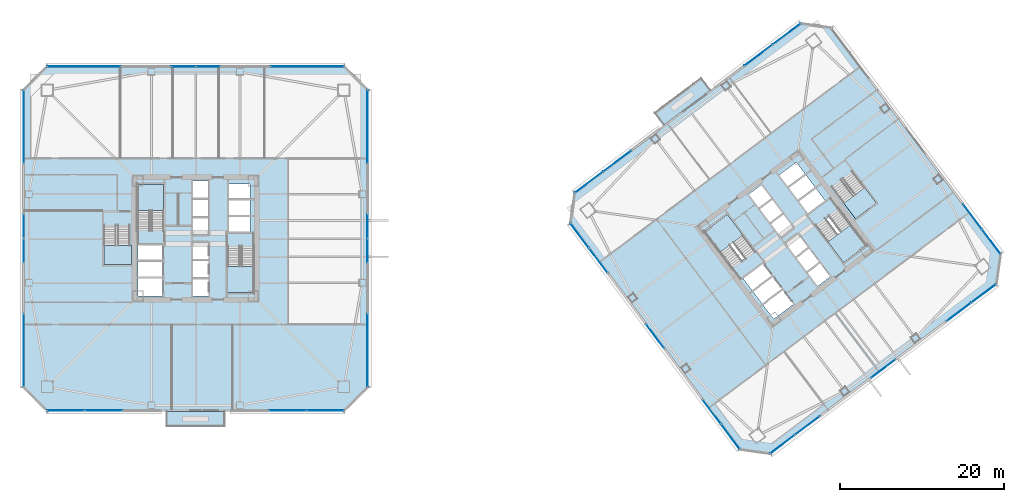
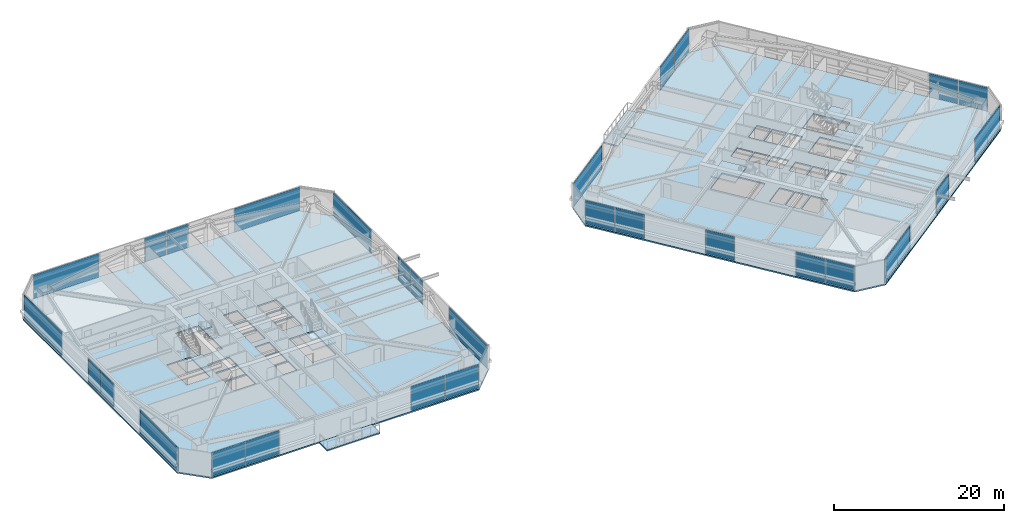
# One storey, part 31 of 44: 32 plates, 10 slabs, 26 elements without a shape of their own.
"""IFC4 building model written with IfcOpenShell, lengths in metres."""

from ifc_helpers import new_model, si_unit, direction, frame, origin, origin_2d, place, context, subcontext, project, spatial, polyline, rectangle, outline, extrude, material, layer, layer_set, type_object, element, aggregate, save


model = new_model("IFC4")

# Units and contexts
model_context = context("Model", 3, precision=1e-05, world=origin(), true_north=direction((0.0, 1.0)))
body_context = subcontext(model_context, "Body", "Model", "MODEL_VIEW")
ifc_project = project(units=[si_unit("LENGTHUNIT", "METRE"), si_unit("AREAUNIT", "SQUARE_METRE"), si_unit("VOLUMEUNIT", "CUBIC_METRE"), si_unit("PLANEANGLEUNIT", "RADIAN"), si_unit("MASSUNIT", "GRAM", prefix="KILO")], contexts=[model_context])

# Site, building, storey
site_placement = place(None, origin())
site = spatial("IfcSite", under=ifc_project, at=site_placement, CompositionType="ELEMENT")
building_placement = place(site_placement, origin())
building = spatial("IfcBuilding", under=site, at=building_placement, Name="Tashvorn Skyway Center", CompositionType="ELEMENT")
storey_placement = place(building_placement, frame((0.0, 0.0, 95.60009765625)))
storey = spatial("IfcBuildingStorey", under=building, at=storey_placement, Name="L25", CompositionType="ELEMENT", Elevation=95.60009765625)

# Curtain wall, plates
ifc_material_1 = material(Name="Thermally broken bronze-anodized aluminium 6063-T6", Category="aluminium")
curtain_wall_type = type_object("IfcCurtainWallType", Name="CW-CW-Z2", PredefinedType="NOTDEFINED", material=ifc_material_1)
curtain_wall_1_placement = place(storey_placement, origin())
curtain_wall_1 = element("IfcCurtainWall", 1, at=curtain_wall_1_placement, inside=storey, type_object=curtain_wall_type, Name="Tower 1 L25 South Curtain Wall L Glazing Group 1", PredefinedType="NOTDEFINED")
ifc_material_2 = material(Name="Low-E solar-control double insulating safety glass", Category="glass")
ifc_layer_1 = layer(ifc_material_2, 0.0439453125)
ifc_layer_set_1 = layer_set([ifc_layer_1], Name="Low-E solar-control double insulating safety glass")
plate_type = type_object("IfcPlateType", Name="CWP-CW-Z2", PredefinedType="CURTAIN_PANEL", material=ifc_layer_set_1)
plate_1_placement = place(storey_placement, frame((57.83837890625, 11.02001953125, 0.080078125), z_axis=(0.0, 0.0, 1.0), x_axis=(-1.0, 0.0, 0.0)))
plate_1 = element("IfcPlate", 2, at=plate_1_placement, type_object=plate_type, Name="CW-Z2 panel 1.1", PredefinedType="CURTAIN_PANEL", context=body_context, shape_type="SweptSolid", body=[
    extrude(rectangle(XDim=4.5234375, YDim=0.0439453125, at=origin_2d()), origin(), (0.0, 0.0, 1.0), 3.389892578125),
])
plate_2_placement = place(storey_placement, frame((53.23486328125, 11.02001953125, 0.080078125), z_axis=(0.0, 0.0, 1.0), x_axis=(-1.0, 0.0, 0.0)))
plate_2 = element("IfcPlate", 3, at=plate_2_placement, type_object=plate_type, Name="CW-Z2 panel 2.1", PredefinedType="CURTAIN_PANEL", context=body_context, shape_type="SweptSolid", body=[
    extrude(rectangle(XDim=4.5234375, YDim=0.0439453125, at=origin_2d()), origin(), (0.0, 0.0, 1.0), 3.389892578125),
])
aggregate(curtain_wall_1, [plate_1, plate_2])

curtain_wall_2_placement = place(storey_placement, origin())
curtain_wall_2 = element("IfcCurtainWall", 4, at=curtain_wall_2_placement, inside=storey, type_object=curtain_wall_type, Name="Tower 1 L25 South Curtain Wall R Glazing Group 1", PredefinedType="NOTDEFINED")
plate_3_placement = place(storey_placement, frame((30.76513671875, 11.02001953125, 0.080078125), z_axis=(0.0, 0.0, 1.0), x_axis=(-1.0, 0.0, 0.0)))
plate_3 = element("IfcPlate", 5, at=plate_3_placement, type_object=plate_type, Name="CW-Z2 panel 1.1", PredefinedType="CURTAIN_PANEL", context=body_context, shape_type="SweptSolid", body=[
    extrude(rectangle(XDim=4.5234375, YDim=0.0439453125, at=origin_2d()), origin(), (0.0, 0.0, 1.0), 3.389892578125),
])
plate_4_placement = place(storey_placement, frame((26.16162109375, 11.02001953125, 0.080078125), z_axis=(0.0, 0.0, 1.0), x_axis=(-1.0, 0.0, 0.0)))
plate_4 = element("IfcPlate", 6, at=plate_4_placement, type_object=plate_type, Name="CW-Z2 panel 2.1", PredefinedType="CURTAIN_PANEL", context=body_context, shape_type="SweptSolid", body=[
    extrude(rectangle(XDim=4.5234375, YDim=0.0439453125, at=origin_2d()), origin(), (0.0, 0.0, 1.0), 3.389892578125),
])
aggregate(curtain_wall_2, [plate_3, plate_4])

# Curtain wall, plate
curtain_wall_3_placement = place(storey_placement, origin())
curtain_wall_3 = element("IfcCurtainWall", 7, at=curtain_wall_3_placement, inside=storey, type_object=curtain_wall_type, Name="Tower 1 L25 West Unitised Curtain Wall Glazing Group 1", PredefinedType="NOTDEFINED")
plate_5_placement = place(storey_placement, frame((21.02001953125, 18.364990234375, 0.080078125), z_axis=(0.0, 0.0, 1.0), x_axis=(0.0, 1.0, 0.0)))
plate_5 = element("IfcPlate", 8, at=plate_5_placement, type_object=plate_type, Name="CW-Z2 panel 1.1", PredefinedType="CURTAIN_PANEL", context=body_context, shape_type="SweptSolid", body=[
    extrude(rectangle(XDim=8.929931640625, YDim=0.0439453125, at=origin_2d()), origin(), (0.0, 0.0, 1.0), 3.389892578125),
])
aggregate(curtain_wall_3, [plate_5])

# Curtain wall, plates
curtain_wall_4_placement = place(storey_placement, origin())
curtain_wall_4 = element("IfcCurtainWall", 9, at=curtain_wall_4_placement, inside=storey, type_object=curtain_wall_type, Name="Tower 1 L25 West Unitised Curtain Wall Glazing Group 2", PredefinedType="NOTDEFINED")
plate_6_placement = place(storey_placement, frame((21.02001953125, 30.5048828125, 0.080078125), z_axis=(0.0, 0.0, 1.0), x_axis=(0.0, 1.0, 0.0)))
plate_6 = element("IfcPlate", 10, at=plate_6_placement, type_object=plate_type, Name="CW-Z2 panel 1.1", PredefinedType="CURTAIN_PANEL", context=body_context, shape_type="SweptSolid", body=[
    extrude(rectangle(XDim=2.909912109375, YDim=0.0439453125, at=origin_2d()), origin(), (0.0, 0.0, 1.0), 3.389892578125),
])
plate_7_placement = place(storey_placement, frame((21.02001953125, 33.4951171875, 0.080078125), z_axis=(0.0, 0.0, 1.0), x_axis=(0.0, 1.0, 0.0)))
plate_7 = element("IfcPlate", 11, at=plate_7_placement, type_object=plate_type, Name="CW-Z2 panel 2.1", PredefinedType="CURTAIN_PANEL", context=body_context, shape_type="SweptSolid", body=[
    extrude(rectangle(XDim=2.909912109375, YDim=0.0439453125, at=origin_2d()), origin(), (0.0, 0.0, 1.0), 3.389892578125),
])
aggregate(curtain_wall_4, [plate_6, plate_7])

# Curtain wall, plate
curtain_wall_5_placement = place(storey_placement, origin())
curtain_wall_5 = element("IfcCurtainWall", 12, at=curtain_wall_5_placement, inside=storey, type_object=curtain_wall_type, Name="Tower 1 L25 West Unitised Curtain Wall Glazing Group 3", PredefinedType="NOTDEFINED")
plate_8_placement = place(storey_placement, frame((21.02001953125, 45.635009765625, 0.080078125), z_axis=(0.0, 0.0, 1.0), x_axis=(0.0, 1.0, 0.0)))
plate_8 = element("IfcPlate", 13, at=plate_8_placement, type_object=plate_type, Name="CW-Z2 panel 1.1", PredefinedType="CURTAIN_PANEL", context=body_context, shape_type="SweptSolid", body=[
    extrude(rectangle(XDim=8.929931640625, YDim=0.0439453125, at=origin_2d()), origin(), (0.0, 0.0, 1.0), 3.389892578125),
])
aggregate(curtain_wall_5, [plate_8])

curtain_wall_6_placement = place(storey_placement, origin())
curtain_wall_6 = element("IfcCurtainWall", 14, at=curtain_wall_6_placement, inside=storey, type_object=curtain_wall_type, Name="Tower 1 L25 North Unitised Curtain Wall Glazing Group 1", PredefinedType="NOTDEFINED")
plate_9_placement = place(storey_placement, frame((28.364990234375, 52.97998046875, 0.080078125), z_axis=(0.0, 0.0, 1.0), x_axis=(1.0, 0.0, 0.0)))
plate_9 = element("IfcPlate", 15, at=plate_9_placement, type_object=plate_type, Name="CW-Z2 panel 1.1", PredefinedType="CURTAIN_PANEL", context=body_context, shape_type="SweptSolid", body=[
    extrude(rectangle(XDim=8.929931640625, YDim=0.0439453125, at=origin_2d()), origin(), (0.0, 0.0, 1.0), 3.389892578125),
])
aggregate(curtain_wall_6, [plate_9])

# Curtain wall, plates
curtain_wall_7_placement = place(storey_placement, origin())
curtain_wall_7 = element("IfcCurtainWall", 16, at=curtain_wall_7_placement, inside=storey, type_object=curtain_wall_type, Name="Tower 1 L25 North Unitised Curtain Wall Glazing Group 2", PredefinedType="NOTDEFINED")
plate_10_placement = place(storey_placement, frame((40.5048828125, 52.97998046875, 0.080078125), z_axis=(0.0, 0.0, 1.0), x_axis=(1.0, 0.0, 0.0)))
plate_10 = element("IfcPlate", 17, at=plate_10_placement, type_object=plate_type, Name="CW-Z2 panel 1.1", PredefinedType="CURTAIN_PANEL", context=body_context, shape_type="SweptSolid", body=[
    extrude(rectangle(XDim=2.909912109375, YDim=0.0439453125, at=origin_2d()), origin(), (0.0, 0.0, 1.0), 3.389892578125),
])
plate_11_placement = place(storey_placement, frame((43.4951171875, 52.97998046875, 0.080078125), z_axis=(0.0, 0.0, 1.0), x_axis=(1.0, 0.0, 0.0)))
plate_11 = element("IfcPlate", 18, at=plate_11_placement, type_object=plate_type, Name="CW-Z2 panel 2.1", PredefinedType="CURTAIN_PANEL", context=body_context, shape_type="SweptSolid", body=[
    extrude(rectangle(XDim=2.909912109375, YDim=0.0439453125, at=origin_2d()), origin(), (0.0, 0.0, 1.0), 3.389892578125),
])
aggregate(curtain_wall_7, [plate_10, plate_11])

# Curtain wall, plate
curtain_wall_8_placement = place(storey_placement, origin())
curtain_wall_8 = element("IfcCurtainWall", 19, at=curtain_wall_8_placement, inside=storey, type_object=curtain_wall_type, Name="Tower 1 L25 North Unitised Curtain Wall Glazing Group 3", PredefinedType="NOTDEFINED")
plate_12_placement = place(storey_placement, frame((55.635009765625, 52.97998046875, 0.080078125), z_axis=(0.0, 0.0, 1.0), x_axis=(1.0, 0.0, 0.0)))
plate_12 = element("IfcPlate", 20, at=plate_12_placement, type_object=plate_type, Name="CW-Z2 panel 1.1", PredefinedType="CURTAIN_PANEL", context=body_context, shape_type="SweptSolid", body=[
    extrude(rectangle(XDim=8.929931640625, YDim=0.0439453125, at=origin_2d()), origin(), (0.0, 0.0, 1.0), 3.389892578125),
])
aggregate(curtain_wall_8, [plate_12])

curtain_wall_9_placement = place(storey_placement, origin())
curtain_wall_9 = element("IfcCurtainWall", 21, at=curtain_wall_9_placement, inside=storey, type_object=curtain_wall_type, Name="Tower 1 L25 East Unitised Curtain Wall Glazing Group 1", PredefinedType="NOTDEFINED")
plate_13_placement = place(storey_placement, frame((62.97998046875, 45.635009765625, 0.080078125), z_axis=(0.0, 0.0, 1.0), x_axis=(0.0, -1.0, 0.0)))
plate_13 = element("IfcPlate", 22, at=plate_13_placement, type_object=plate_type, Name="CW-Z2 panel 1.1", PredefinedType="CURTAIN_PANEL", context=body_context, shape_type="SweptSolid", body=[
    extrude(rectangle(XDim=8.929931640625, YDim=0.0439453125, at=origin_2d()), origin(), (0.0, 0.0, 1.0), 3.389892578125),
])
aggregate(curtain_wall_9, [plate_13])

# Curtain wall, plates
curtain_wall_10_placement = place(storey_placement, origin())
curtain_wall_10 = element("IfcCurtainWall", 23, at=curtain_wall_10_placement, inside=storey, type_object=curtain_wall_type, Name="Tower 1 L25 East Unitised Curtain Wall Glazing Group 2", PredefinedType="NOTDEFINED")
plate_14_placement = place(storey_placement, frame((62.97998046875, 33.4951171875, 0.080078125), z_axis=(0.0, 0.0, 1.0), x_axis=(0.0, -1.0, 0.0)))
plate_14 = element("IfcPlate", 24, at=plate_14_placement, type_object=plate_type, Name="CW-Z2 panel 1.1", PredefinedType="CURTAIN_PANEL", context=body_context, shape_type="SweptSolid", body=[
    extrude(rectangle(XDim=2.909912109375, YDim=0.0439453125, at=origin_2d()), origin(), (0.0, 0.0, 1.0), 3.389892578125),
])
plate_15_placement = place(storey_placement, frame((62.97998046875, 30.5048828125, 0.080078125), z_axis=(0.0, 0.0, 1.0), x_axis=(0.0, -1.0, 0.0)))
plate_15 = element("IfcPlate", 25, at=plate_15_placement, type_object=plate_type, Name="CW-Z2 panel 2.1", PredefinedType="CURTAIN_PANEL", context=body_context, shape_type="SweptSolid", body=[
    extrude(rectangle(XDim=2.909912109375, YDim=0.0439453125, at=origin_2d()), origin(), (0.0, 0.0, 1.0), 3.389892578125),
])
aggregate(curtain_wall_10, [plate_14, plate_15])

# Curtain wall, plate
curtain_wall_11_placement = place(storey_placement, origin())
curtain_wall_11 = element("IfcCurtainWall", 26, at=curtain_wall_11_placement, inside=storey, type_object=curtain_wall_type, Name="Tower 1 L25 East Unitised Curtain Wall Glazing Group 3", PredefinedType="NOTDEFINED")
plate_16_placement = place(storey_placement, frame((62.97998046875, 18.364990234375, 0.080078125), z_axis=(0.0, 0.0, 1.0), x_axis=(0.0, -1.0, 0.0)))
plate_16 = element("IfcPlate", 27, at=plate_16_placement, type_object=plate_type, Name="CW-Z2 panel 1.1", PredefinedType="CURTAIN_PANEL", context=body_context, shape_type="SweptSolid", body=[
    extrude(rectangle(XDim=8.929931640625, YDim=0.0439453125, at=origin_2d()), origin(), (0.0, 0.0, 1.0), 3.389892578125),
])
aggregate(curtain_wall_11, [plate_16])

# Curtain wall, plates
curtain_wall_12_placement = place(storey_placement, origin())
curtain_wall_12 = element("IfcCurtainWall", 28, at=curtain_wall_12_placement, inside=storey, type_object=curtain_wall_type, Name="Tower 2 L25 South Unitised Curtain Wall Glazing Group 1", PredefinedType="NOTDEFINED")
plate_17_placement = place(storey_placement, frame((138.199951171875, 25.300048828125, 0.080078125), z_axis=(0.0, 0.0, 1.0), x_axis=(-0.799999999998, -0.600000000002, 0.0)))
plate_17 = element("IfcPlate", 29, at=plate_17_placement, type_object=plate_type, Name="CW-Z2 panel 1.1", PredefinedType="CURTAIN_PANEL", context=body_context, shape_type="SweptSolid", body=[
    extrude(rectangle(XDim=3.719970703125, YDim=0.0439453125, at=origin_2d()), origin(), (0.0, 0.0, 1.0), 3.389892578125),
])
plate_18_placement = place(storey_placement, frame((135.159912109375, 23.02001953125, 0.080078125), z_axis=(0.0, 0.0, 1.0), x_axis=(-0.799999999998, -0.600000000002, 0.0)))
plate_18 = element("IfcPlate", 30, at=plate_18_placement, type_object=plate_type, Name="CW-Z2 panel 2.1", PredefinedType="CURTAIN_PANEL", context=body_context, shape_type="SweptSolid", body=[
    extrude(rectangle(XDim=3.719970703125, YDim=0.0439453125, at=origin_2d()), origin(), (0.0, 0.0, 1.0), 3.389892578125),
])
aggregate(curtain_wall_12, [plate_17, plate_18])

# Curtain wall, plate
curtain_wall_13_placement = place(storey_placement, origin())
curtain_wall_13 = element("IfcCurtainWall", 31, at=curtain_wall_13_placement, inside=storey, type_object=curtain_wall_type, Name="Tower 2 L25 South Unitised Curtain Wall Glazing Group 2", PredefinedType="NOTDEFINED")
plate_19_placement = place(storey_placement, frame((125.927978515625, 16.095947265625, 0.080078125), z_axis=(0.0, 0.0, 1.0), x_axis=(-0.799999999998, -0.600000000002, 0.0)))
plate_19 = element("IfcPlate", 32, at=plate_19_placement, type_object=plate_type, Name="CW-Z2 panel 1.1", PredefinedType="CURTAIN_PANEL", context=body_context, shape_type="SweptSolid", body=[
    extrude(rectangle(XDim=3.679931640625, YDim=0.0439453125, at=origin_2d()), origin(), (0.0, 0.0, 1.0), 3.389892578125),
])
aggregate(curtain_wall_13, [plate_19])

# Curtain wall, plates
curtain_wall_14_placement = place(storey_placement, origin())
curtain_wall_14 = element("IfcCurtainWall", 33, at=curtain_wall_14_placement, inside=storey, type_object=curtain_wall_type, Name="Tower 2 L25 South Unitised Curtain Wall Glazing Group 3", PredefinedType="NOTDEFINED")
plate_20_placement = place(storey_placement, frame((116.696044921875, 9.172119140625, 0.080078125), z_axis=(0.0, 0.0, 1.0), x_axis=(-0.799999999998, -0.600000000002, 0.0)))
plate_20 = element("IfcPlate", 34, at=plate_20_placement, type_object=plate_type, Name="CW-Z2 panel 1.1", PredefinedType="CURTAIN_PANEL", context=body_context, shape_type="SweptSolid", body=[
    extrude(rectangle(XDim=3.719970703125, YDim=0.0439453125, at=origin_2d()), origin(), (0.0, 0.0, 1.0), 3.389892578125),
])
plate_21_placement = place(storey_placement, frame((113.656005859375, 6.89208984375, 0.080078125), z_axis=(0.0, 0.0, 1.0), x_axis=(-0.799999999998, -0.600000000002, 0.0)))
plate_21 = element("IfcPlate", 35, at=plate_21_placement, type_object=plate_type, Name="CW-Z2 panel 2.1", PredefinedType="CURTAIN_PANEL", context=body_context, shape_type="SweptSolid", body=[
    extrude(rectangle(XDim=3.719970703125, YDim=0.0439453125, at=origin_2d()), origin(), (0.0, 0.0, 1.0), 3.389892578125),
])
aggregate(curtain_wall_14, [plate_20, plate_21])

curtain_wall_15_placement = place(storey_placement, origin())
curtain_wall_15 = element("IfcCurtainWall", 36, at=curtain_wall_15_placement, inside=storey, type_object=curtain_wall_type, Name="Tower 2 L25 West Unitised Curtain Wall Glazing Group 1", PredefinedType="NOTDEFINED")
plate_22_placement = place(storey_placement, frame((107.300048828125, 7.800048828125, 0.080078125), z_axis=(0.0, 0.0, 1.0), x_axis=(-0.600000000002, 0.799999999998, 0.0)))
plate_22 = element("IfcPlate", 37, at=plate_22_placement, type_object=plate_type, Name="CW-Z2 panel 1.1", PredefinedType="CURTAIN_PANEL", context=body_context, shape_type="SweptSolid", body=[
    extrude(rectangle(XDim=3.719970703125, YDim=0.0439453125, at=origin_2d()), origin(), (0.0, 0.0, 1.0), 3.389892578125),
])
plate_23_placement = place(storey_placement, frame((105.02001953125, 10.840087890625, 0.080078125), z_axis=(0.0, 0.0, 1.0), x_axis=(-0.600000000002, 0.799999999998, 0.0)))
plate_23 = element("IfcPlate", 38, at=plate_23_placement, type_object=plate_type, Name="CW-Z2 panel 2.1", PredefinedType="CURTAIN_PANEL", context=body_context, shape_type="SweptSolid", body=[
    extrude(rectangle(XDim=3.719970703125, YDim=0.0439453125, at=origin_2d()), origin(), (0.0, 0.0, 1.0), 3.389892578125),
])
aggregate(curtain_wall_15, [plate_22, plate_23])

# Curtain wall, plate
curtain_wall_16_placement = place(storey_placement, origin())
curtain_wall_16 = element("IfcCurtainWall", 39, at=curtain_wall_16_placement, inside=storey, type_object=curtain_wall_type, Name="Tower 2 L25 West Unitised Curtain Wall Glazing Group 2", PredefinedType="NOTDEFINED")
plate_24_placement = place(storey_placement, frame((98.095947265625, 20.072021484375, 0.080078125), z_axis=(0.0, 0.0, 1.0), x_axis=(-0.600000000002, 0.799999999998, 0.0)))
plate_24 = element("IfcPlate", 40, at=plate_24_placement, type_object=plate_type, Name="CW-Z2 panel 1.1", PredefinedType="CURTAIN_PANEL", context=body_context, shape_type="SweptSolid", body=[
    extrude(rectangle(XDim=3.679931640625, YDim=0.0439453125, at=origin_2d()), origin(), (0.0, 0.0, 1.0), 3.389892578125),
])
aggregate(curtain_wall_16, [plate_24])

# Curtain wall, plates
curtain_wall_17_placement = place(storey_placement, origin())
curtain_wall_17 = element("IfcCurtainWall", 41, at=curtain_wall_17_placement, inside=storey, type_object=curtain_wall_type, Name="Tower 2 L25 West Unitised Curtain Wall Glazing Group 3", PredefinedType="NOTDEFINED")
plate_25_placement = place(storey_placement, frame((91.172119140625, 29.303955078125, 0.080078125), z_axis=(0.0, 0.0, 1.0), x_axis=(-0.600000000002, 0.799999999998, 0.0)))
plate_25 = element("IfcPlate", 42, at=plate_25_placement, type_object=plate_type, Name="CW-Z2 panel 1.1", PredefinedType="CURTAIN_PANEL", context=body_context, shape_type="SweptSolid", body=[
    extrude(rectangle(XDim=3.719970703125, YDim=0.0439453125, at=origin_2d()), origin(), (0.0, 0.0, 1.0), 3.389892578125),
])
plate_26_placement = place(storey_placement, frame((88.89208984375, 32.343994140625, 0.080078125), z_axis=(0.0, 0.0, 1.0), x_axis=(-0.600000000002, 0.799999999998, 0.0)))
plate_26 = element("IfcPlate", 43, at=plate_26_placement, type_object=plate_type, Name="CW-Z2 panel 2.1", PredefinedType="CURTAIN_PANEL", context=body_context, shape_type="SweptSolid", body=[
    extrude(rectangle(XDim=3.719970703125, YDim=0.0439453125, at=origin_2d()), origin(), (0.0, 0.0, 1.0), 3.389892578125),
])
aggregate(curtain_wall_17, [plate_25, plate_26])

curtain_wall_18_placement = place(storey_placement, origin())
curtain_wall_18 = element("IfcCurtainWall", 44, at=curtain_wall_18_placement, inside=storey, type_object=curtain_wall_type, Name="Tower 2 L25 North Curtain Wall L Glazing Group 1", PredefinedType="NOTDEFINED")
plate_27_placement = place(storey_placement, frame((90.001220703125, 38.85107421875, 0.080078125), z_axis=(0.0, 0.0, 1.0), x_axis=(0.799998618565, 0.600001841909, 0.0)))
plate_27 = element("IfcPlate", 45, at=plate_27_placement, type_object=plate_type, Name="CW-Z2 panel 1.1", PredefinedType="CURTAIN_PANEL", context=body_context, shape_type="SweptSolid", body=[
    extrude(rectangle(XDim=4.223388671875, YDim=0.0439453125, at=origin_2d()), origin(), (0.0, 0.0, 1.0), 3.389892578125),
])
plate_28_placement = place(storey_placement, frame((93.444091796875, 41.43310546875, 0.080078125), z_axis=(0.0, 0.0, 1.0), x_axis=(0.799998618565, 0.600001841909, 0.0)))
plate_28 = element("IfcPlate", 46, at=plate_28_placement, type_object=plate_type, Name="CW-Z2 panel 2.1", PredefinedType="CURTAIN_PANEL", context=body_context, shape_type="SweptSolid", body=[
    extrude(rectangle(XDim=4.223388671875, YDim=0.0439453125, at=origin_2d()), origin(), (0.0, 0.0, 1.0), 3.389892578125),
])
aggregate(curtain_wall_18, [plate_27, plate_28])

curtain_wall_19_placement = place(storey_placement, origin())
curtain_wall_19 = element("IfcCurtainWall", 47, at=curtain_wall_19_placement, inside=storey, type_object=curtain_wall_type, Name="Tower 2 L25 North Curtain Wall R Glazing Group 1", PredefinedType="NOTDEFINED")
plate_29_placement = place(storey_placement, frame((110.699951171875, 54.375, 0.080078125), z_axis=(0.0, 0.0, 1.0), x_axis=(0.799998618565, 0.600001841909, 0.0)))
plate_29 = element("IfcPlate", 48, at=plate_29_placement, type_object=plate_type, Name="CW-Z2 panel 1.1", PredefinedType="CURTAIN_PANEL", context=body_context, shape_type="SweptSolid", body=[
    extrude(rectangle(XDim=4.223388671875, YDim=0.0439453125, at=origin_2d()), origin(), (0.0, 0.0, 1.0), 3.389892578125),
])
plate_30_placement = place(storey_placement, frame((114.142578125, 56.95703125, 0.080078125), z_axis=(0.0, 0.0, 1.0), x_axis=(0.799998618565, 0.600001841909, 0.0)))
plate_30 = element("IfcPlate", 49, at=plate_30_placement, type_object=plate_type, Name="CW-Z2 panel 2.1", PredefinedType="CURTAIN_PANEL", context=body_context, shape_type="SweptSolid", body=[
    extrude(rectangle(XDim=4.223388671875, YDim=0.0439453125, at=origin_2d()), origin(), (0.0, 0.0, 1.0), 3.389892578125),
])
aggregate(curtain_wall_19, [plate_29, plate_30])

curtain_wall_20_placement = place(storey_placement, origin())
curtain_wall_20 = element("IfcCurtainWall", 50, at=curtain_wall_20_placement, inside=storey, type_object=curtain_wall_type, Name="Tower 2 L25 East Unitised Curtain Wall Glazing Group 3", PredefinedType="NOTDEFINED")
plate_31_placement = place(storey_placement, frame((136.827880859375, 34.696044921875, 0.080078125), z_axis=(0.0, 0.0, 1.0), x_axis=(0.600000000002, -0.799999999998, 0.0)))
plate_31 = element("IfcPlate", 51, at=plate_31_placement, type_object=plate_type, Name="CW-Z2 panel 1.1", PredefinedType="CURTAIN_PANEL", context=body_context, shape_type="SweptSolid", body=[
    extrude(rectangle(XDim=3.719970703125, YDim=0.0439453125, at=origin_2d()), origin(), (0.0, 0.0, 1.0), 3.389892578125),
])
plate_32_placement = place(storey_placement, frame((139.10791015625, 31.656005859375, 0.080078125), z_axis=(0.0, 0.0, 1.0), x_axis=(0.600000000002, -0.799999999998, 0.0)))
plate_32 = element("IfcPlate", 52, at=plate_32_placement, type_object=plate_type, Name="CW-Z2 panel 2.1", PredefinedType="CURTAIN_PANEL", context=body_context, shape_type="SweptSolid", body=[
    extrude(rectangle(XDim=3.719970703125, YDim=0.0439453125, at=origin_2d()), origin(), (0.0, 0.0, 1.0), 3.389892578125),
])
aggregate(curtain_wall_20, [plate_31, plate_32])

# Slabs
ifc_material_3 = material(Name="Concrete C40/50", Category="concrete")
ifc_layer_2 = layer(ifc_material_3, 0.199951171875)
ifc_layer_set_2 = layer_set([ifc_layer_2], Name="Concrete C40/50")
slab_type_1 = type_object("IfcSlabType", Name="SLAB-FLR-200", PredefinedType="FLOOR", material=ifc_layer_set_2)
slab_1_placement = place(storey_placement, frame((0.0, 0.0, -0.2001953125)))
element("IfcSlab", 53, at=slab_1_placement, inside=storey, type_object=slab_type_1, Name="Tower 1 L25 Composite Floor Slab", PredefinedType="FLOOR", context=body_context, shape_type="SweptSolid", body=[
    extrude(outline(polyline([(23.89990234375, 10.89990234375), (60.10009765625, 10.89990234375), (63.10009765625, 13.89990234375), (63.10009765625, 50.10009765625), (60.10009765625, 53.10009765625), (23.89990234375, 53.10009765625), (20.89990234375, 50.10009765625), (20.89990234375, 13.89990234375), (23.89990234375, 10.89990234375)]), holes=[polyline([(38.10009765625, 33.080078125), (38.10009765625, 38.60009765625), (34.89990234375, 38.60009765625), (34.89990234375, 33.080078125), (38.10009765625, 33.080078125)]), polyline([(45.89990234375, 30.919921875), (45.89990234375, 25.39990234375), (49.10009765625, 25.39990234375), (49.10009765625, 30.919921875), (45.89990234375, 30.919921875)]), polyline([(30.800048828125, 33.52001953125), (30.800048828125, 28.800048828125), (34.0, 28.800048828125), (34.0, 33.52001953125), (30.800048828125, 33.52001953125)]), polyline([(34.949951171875, 29.35009765625), (37.949951171875, 29.35009765625), (37.949951171875, 31.199951171875), (34.949951171875, 31.199951171875), (34.949951171875, 29.35009765625)]), polyline([(34.949951171875, 27.35009765625), (37.949951171875, 27.35009765625), (37.949951171875, 29.199951171875), (34.949951171875, 29.199951171875), (34.949951171875, 27.35009765625)]), polyline([(34.949951171875, 25.0), (37.949951171875, 25.0), (37.949951171875, 27.14990234375), (34.949951171875, 27.14990234375), (34.949951171875, 25.0)]), polyline([(41.64990234375, 25.0), (43.550048828125, 25.0), (43.550048828125, 27.050048828125), (41.64990234375, 27.050048828125), (41.64990234375, 25.0)]), polyline([(41.64990234375, 27.25), (43.550048828125, 27.25), (43.550048828125, 29.300048828125), (41.64990234375, 29.300048828125), (41.64990234375, 27.25)]), polyline([(41.64990234375, 29.5), (43.550048828125, 29.5), (43.550048828125, 31.550048828125), (41.64990234375, 31.550048828125), (41.64990234375, 29.5)]), polyline([(41.64990234375, 32.449951171875), (43.550048828125, 32.449951171875), (43.550048828125, 34.5), (41.64990234375, 34.5), (41.64990234375, 32.449951171875)]), polyline([(41.64990234375, 34.699951171875), (43.550048828125, 34.699951171875), (43.550048828125, 36.75), (41.64990234375, 36.75), (41.64990234375, 34.699951171875)]), polyline([(41.64990234375, 36.949951171875), (43.550048828125, 36.949951171875), (43.550048828125, 39.0), (41.64990234375, 39.0), (41.64990234375, 36.949951171875)]), polyline([(46.050048828125, 32.800048828125), (48.64990234375, 32.800048828125), (48.64990234375, 34.64990234375), (46.050048828125, 34.64990234375), (46.050048828125, 32.800048828125)]), polyline([(46.050048828125, 34.85009765625), (48.64990234375, 34.85009765625), (48.64990234375, 36.699951171875), (46.050048828125, 36.699951171875), (46.050048828125, 34.85009765625)]), polyline([(46.050048828125, 36.89990234375), (48.64990234375, 36.89990234375), (48.64990234375, 38.64990234375), (46.050048828125, 38.64990234375), (46.050048828125, 36.89990234375)])]), origin(), (0.0, 0.0, 1.0), 0.2001953125),
])
slab_2_placement = place(storey_placement, frame((0.0, 0.0, -0.2001953125)))
element("IfcSlab", 54, at=slab_2_placement, inside=storey, type_object=slab_type_1, Name="Tower 2 L25 Composite Floor Slab", PredefinedType="FLOOR", context=body_context, shape_type="SweptSolid", body=[
    extrude(outline(polyline([(112.239990234375, 5.679931640625), (139.760009765625, 26.320068359375), (140.320068359375, 30.239990234375), (119.679931640625, 57.760009765625), (115.760009765625, 58.320068359375), (88.239990234375, 37.679931640625), (87.679931640625, 33.760009765625), (108.320068359375, 6.239990234375), (112.239990234375, 5.679931640625)]), holes=[polyline([(110.23193359375, 30.52392578125), (106.919921875, 34.93994140625), (104.135986328125, 32.85205078125), (107.447998046875, 28.43603515625), (110.23193359375, 30.52392578125)]), polyline([(117.76806640625, 33.47607421875), (121.080078125, 29.06005859375), (123.864013671875, 31.14794921875), (120.552001953125, 35.56396484375), (117.76806640625, 33.47607421875)]), polyline([(119.7119140625, 38.18408203125), (122.5439453125, 34.407958984375), (125.10400390625, 36.327880859375), (122.27197265625, 40.10400390625), (119.7119140625, 38.18408203125)]), polyline([(109.949951171875, 25.64990234375), (112.35009765625, 27.449951171875), (111.239990234375, 28.929931640625), (108.840087890625, 27.1298828125), (109.949951171875, 25.64990234375)]), polyline([(111.14990234375, 24.050048828125), (113.550048828125, 25.85009765625), (112.43994140625, 27.330078125), (110.0400390625, 25.530029296875), (111.14990234375, 24.050048828125)]), polyline([(112.56005859375, 22.169921875), (114.9599609375, 23.969970703125), (113.669921875, 25.68994140625), (111.27001953125, 23.889892578125), (112.56005859375, 22.169921875)]), polyline([(117.919921875, 26.18994140625), (119.43994140625, 27.330078125), (118.2099609375, 28.969970703125), (116.68994140625, 27.830078125), (117.919921875, 26.18994140625)]), polyline([(116.570068359375, 27.989990234375), (118.090087890625, 29.1298828125), (116.860107421875, 30.77001953125), (115.340087890625, 29.6298828125), (116.570068359375, 27.989990234375)]), polyline([(115.219970703125, 29.7900390625), (116.739990234375, 30.929931640625), (115.510009765625, 32.570068359375), (113.989990234375, 31.429931640625), (115.219970703125, 29.7900390625)]), polyline([(113.449951171875, 32.14990234375), (114.969970703125, 33.2900390625), (113.739990234375, 34.929931640625), (112.219970703125, 33.7900390625), (113.449951171875, 32.14990234375)]), polyline([(112.10009765625, 33.949951171875), (113.6201171875, 35.090087890625), (112.389892578125, 36.72998046875), (110.8701171875, 35.590087890625), (112.10009765625, 33.949951171875)]), polyline([(110.75, 35.75), (112.27001953125, 36.889892578125), (111.0400390625, 38.530029296875), (109.52001953125, 37.389892578125), (110.75, 35.75)]), polyline([(116.760009765625, 35.070068359375), (118.840087890625, 36.6298828125), (117.72998046875, 38.110107421875), (115.64990234375, 36.550048828125), (116.760009765625, 35.070068359375)]), polyline([(115.530029296875, 36.7099609375), (117.610107421875, 38.27001953125), (116.5, 39.75), (114.419921875, 38.18994140625), (115.530029296875, 36.7099609375)]), polyline([(114.300048828125, 38.35009765625), (116.3798828125, 39.909912109375), (115.330078125, 41.31005859375), (113.25, 39.75), (114.300048828125, 38.35009765625)])]), origin(), (0.0, 0.0, 1.0), 0.2001953125),
])

# Stair, slab
stair_type = type_object("IfcStairType", Name="STAIR-CORE-1500", PredefinedType="HALF_TURN_STAIR", material=ifc_material_3)
stair_1_placement = place(storey_placement, origin())
stair_1 = element("IfcStair", 55, at=stair_1_placement, inside=storey, type_object=stair_type, Name="L25 Tower 1 Exit Stair 1", PredefinedType="HALF_TURN_STAIR")
ifc_layer_3 = layer(ifc_material_3, 0.199951171875)
ifc_layer_set_3 = layer_set([ifc_layer_3], Name="Concrete C40/50")
slab_type_2 = type_object("IfcSlabType", Name="SLAB-LAND-200", PredefinedType="LANDING", material=ifc_layer_set_3)
slab_3_placement = place(storey_placement, frame((0.0, 0.0, 1.574951171875)))
slab_3 = element("IfcSlab", 56, at=slab_3_placement, type_object=slab_type_2, Name="ST-T1-1 landing 1", PredefinedType="LANDING", context=body_context, shape_type="SweptSolid", body=[
    extrude(outline(polyline([(38.10009765625, 35.43994140625), (38.10009765625, 38.60009765625), (34.89990234375, 38.60009765625), (34.89990234375, 35.43994140625), (38.10009765625, 35.43994140625)])), origin(), (0.0, 0.0, 1.0), 0.199951171875),
])
aggregate(stair_1, [slab_3])

stair_2_placement = place(storey_placement, origin())
stair_2 = element("IfcStair", 57, at=stair_2_placement, inside=storey, type_object=stair_type, Name="L25 Tower 1 Exit Stair 2", PredefinedType="HALF_TURN_STAIR")
slab_4_placement = place(storey_placement, frame((0.0, 0.0, 1.574951171875)))
slab_4 = element("IfcSlab", 58, at=slab_4_placement, type_object=slab_type_2, Name="ST-T1-2 landing 1", PredefinedType="LANDING", context=body_context, shape_type="SweptSolid", body=[
    extrude(outline(polyline([(45.89990234375, 28.56005859375), (45.89990234375, 25.39990234375), (49.10009765625, 25.39990234375), (49.10009765625, 28.56005859375), (45.89990234375, 28.56005859375)])), origin(), (0.0, 0.0, 1.0), 0.199951171875),
])
aggregate(stair_2, [slab_4])

stair_3_placement = place(storey_placement, origin())
stair_3 = element("IfcStair", 59, at=stair_3_placement, inside=storey, type_object=stair_type, Name="L25 Tower 2 Exit Stair 1", PredefinedType="HALF_TURN_STAIR")
slab_5_placement = place(storey_placement, frame((0.0, 0.0, 1.574951171875)))
slab_5 = element("IfcSlab", 60, at=slab_5_placement, type_object=slab_type_2, Name="ST-T2-1 landing 1", PredefinedType="LANDING", context=body_context, shape_type="SweptSolid", body=[
    extrude(outline(polyline([(108.82080078125, 32.405517578125), (106.919921875, 34.93994140625), (104.135986328125, 32.85205078125), (106.036865234375, 30.317626953125), (108.82080078125, 32.405517578125)])), origin(), (0.0, 0.0, 1.0), 0.199951171875),
])
aggregate(stair_3, [slab_5])

stair_4_placement = place(storey_placement, origin())
stair_4 = element("IfcStair", 61, at=stair_4_placement, inside=storey, type_object=stair_type, Name="L25 Tower 2 Exit Stair 2", PredefinedType="HALF_TURN_STAIR")
slab_6_placement = place(storey_placement, frame((0.0, 0.0, 1.574951171875)))
slab_6 = element("IfcSlab", 62, at=slab_6_placement, type_object=slab_type_2, Name="ST-T2-2 landing 1", PredefinedType="LANDING", context=body_context, shape_type="SweptSolid", body=[
    extrude(outline(polyline([(119.17919921875, 31.594482421875), (121.080078125, 29.06005859375), (123.864013671875, 31.14794921875), (121.963134765625, 33.682373046875), (119.17919921875, 31.594482421875)])), origin(), (0.0, 0.0, 1.0), 0.199951171875),
])
aggregate(stair_4, [slab_6])

stair_5_placement = place(storey_placement, origin())
stair_5 = element("IfcStair", 63, at=stair_5_placement, inside=storey, type_object=stair_type, Name="L25 Tower 1 Exit Stair 3", PredefinedType="HALF_TURN_STAIR")
slab_7_placement = place(storey_placement, frame((0.0, 0.0, 1.574951171875)))
slab_7 = element("IfcSlab", 64, at=slab_7_placement, type_object=slab_type_2, Name="ST-T1-3 landing 1", PredefinedType="LANDING", context=body_context, shape_type="SweptSolid", body=[
    extrude(outline(polyline([(30.800048828125, 31.159912109375), (30.800048828125, 28.800048828125), (34.199951171875, 28.800048828125), (34.199951171875, 31.159912109375), (30.800048828125, 31.159912109375)])), origin(), (0.0, 0.0, 1.0), 0.199951171875),
])
aggregate(stair_5, [slab_7])

stair_6_placement = place(storey_placement, origin())
stair_6 = element("IfcStair", 65, at=stair_6_placement, inside=storey, type_object=stair_type, Name="L25 Tower 2 Exit Stair 3", PredefinedType="HALF_TURN_STAIR")
slab_8_placement = place(storey_placement, frame((0.0, 0.0, 1.574951171875)))
slab_8 = element("IfcSlab", 66, at=slab_8_placement, type_object=slab_type_2, Name="ST-T2-3 landing 1", PredefinedType="LANDING", context=body_context, shape_type="SweptSolid", body=[
    extrude(outline(polyline([(121.123291015625, 36.302490234375), (122.5439453125, 34.407958984375), (125.10400390625, 36.327880859375), (123.68310546875, 38.222412109375), (121.123291015625, 36.302490234375)])), origin(), (0.0, 0.0, 1.0), 0.199951171875),
])
aggregate(stair_6, [slab_8])

# Slabs
ifc_layer_4 = layer(ifc_material_3, 0.179931640625)
ifc_layer_set_4 = layer_set([ifc_layer_4], Name="Concrete C40/50")
slab_type_3 = type_object("IfcSlabType", Name="SLAB-TERR-200", PredefinedType="FLOOR", material=ifc_layer_set_4)
slab_9_placement = place(storey_placement, frame((0.0, 0.0, -0.2001953125)))
element("IfcSlab", 67, at=slab_9_placement, inside=storey, type_object=slab_type_3, Name="Tower 1 L25 Spiral Planted Terrace Slab", PredefinedType="FLOOR", context=body_context, shape_type="SweptSolid", body=[
    extrude(outline(polyline([(38.39990234375, 9.0), (45.60009765625, 9.0), (45.60009765625, 10.909912109375), (38.39990234375, 10.909912109375), (38.39990234375, 9.0)])), origin(), (0.0, 0.0, 1.0), 0.2001953125),
])
slab_10_placement = place(storey_placement, frame((0.0, 0.0, -0.2001953125)))
element("IfcSlab", 68, at=slab_10_placement, inside=storey, type_object=slab_type_3, Name="Tower 2 L25 Spiral Planted Terrace Slab", PredefinedType="FLOOR", context=body_context, shape_type="SweptSolid", body=[
    extrude(outline(polyline([(99.1259765625, 45.83203125), (104.885986328125, 50.152099609375), (103.739990234375, 51.679931640625), (97.97998046875, 47.360107421875), (99.1259765625, 45.83203125)])), origin(), (0.0, 0.0, 1.0), 0.2001953125),
])

save(model, "model.ifc")
